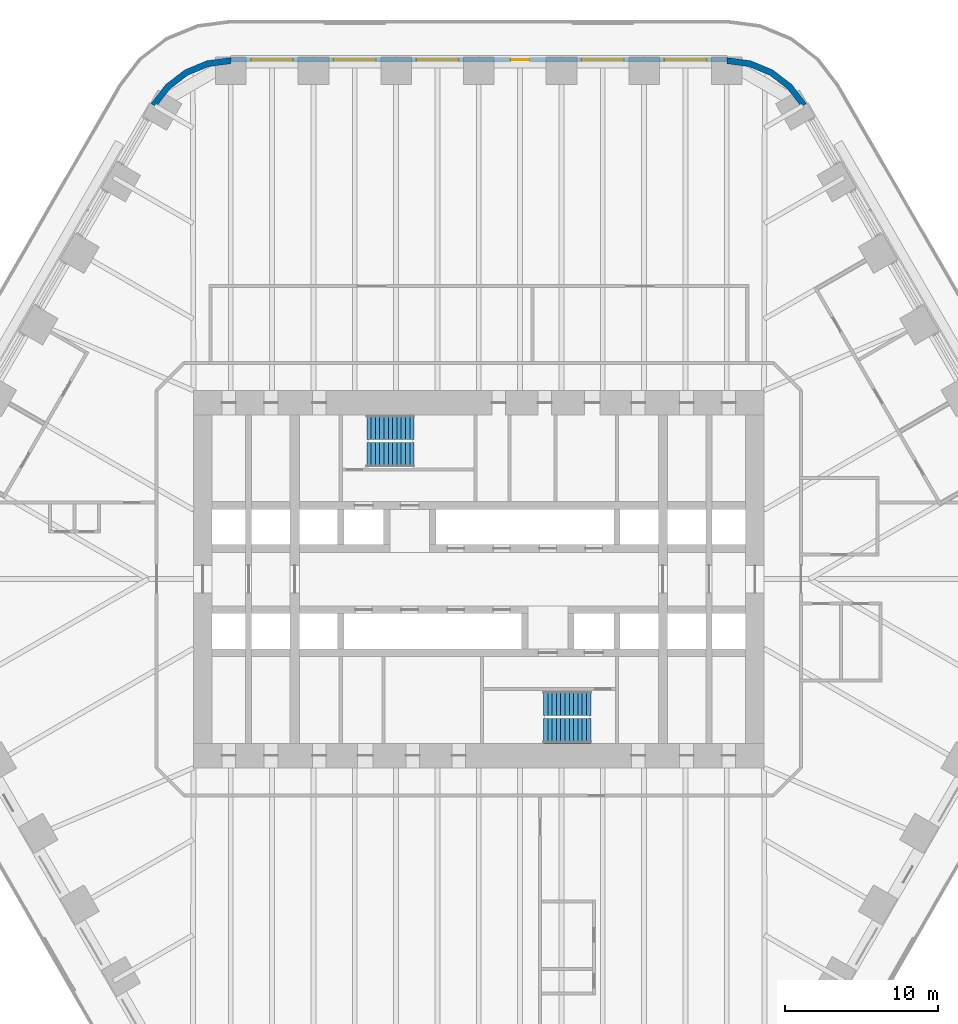
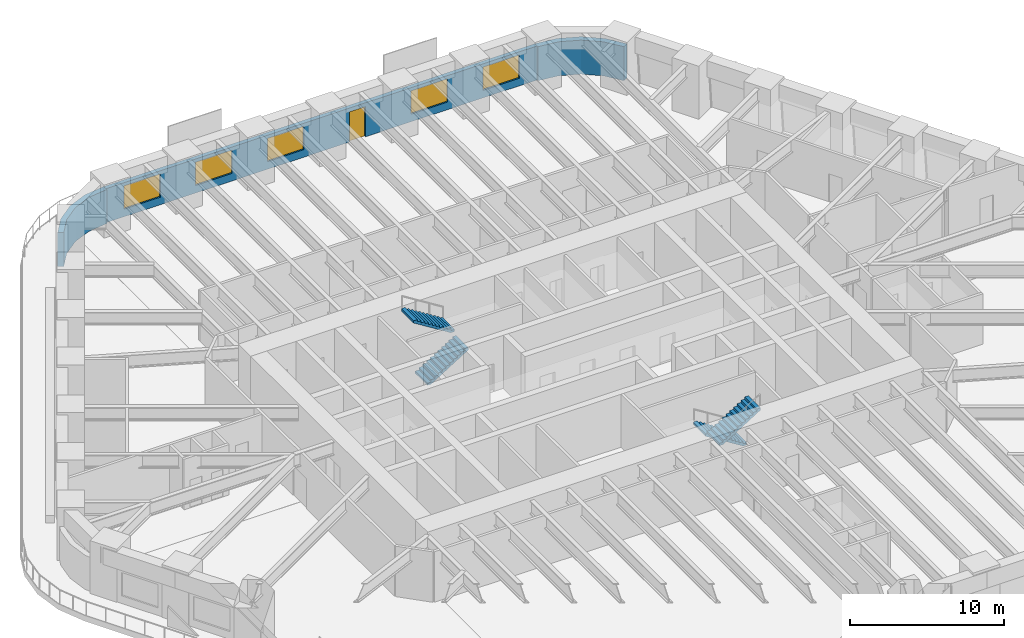
# One storey, part 20 of 23: 5 windows, 4 stair flights, 3 walls, 1 door, 6 openings, 2 elements without a shape of their own.
"""IFC4 building model written with IfcOpenShell, lengths in metres."""

from ifc_helpers import new_model, si_unit, direction, frame, frame_2d, origin, place, context, subcontext, project, spatial, polyline, rectangle, outline, extrude, material, layer, layer_set, type_object, element, fill, aggregate, save


model = new_model("IFC4")

# Units and contexts
model_context = context("Model", 3, precision=1e-05, world=origin(), true_north=direction((0.0, 1.0)))
body_context = subcontext(model_context, "Body", "Model", "MODEL_VIEW")
ifc_project = project(units=[si_unit("LENGTHUNIT", "METRE"), si_unit("AREAUNIT", "SQUARE_METRE"), si_unit("VOLUMEUNIT", "CUBIC_METRE"), si_unit("PLANEANGLEUNIT", "RADIAN"), si_unit("MASSUNIT", "GRAM", prefix="KILO")], contexts=[model_context])

# Site, building, storey
site_placement = place(None, origin())
site = spatial("IfcSite", under=ifc_project, at=site_placement, CompositionType="ELEMENT")
building_placement = place(site_placement, origin())
building = spatial("IfcBuilding", under=site, at=building_placement, Name="Tarfa Lantern Tower", CompositionType="ELEMENT")
storey_placement = place(building_placement, frame((0.0, 0.0, 48.699951171875)))
storey = spatial("IfcBuildingStorey", under=building, at=storey_placement, Name="L10", CompositionType="ELEMENT", Elevation=48.699951171875)

# Wall, openings, door, windows
ifc_material_1 = material(Name="Limestone cladding on blockwork", Category="masonry")
ifc_layer_1 = layer(ifc_material_1, 0.300048828125)
ifc_layer_set_1 = layer_set([ifc_layer_1], Name="EW1 STONE-CLAD WALL 300")
wall_type_1 = type_object("IfcWallType", Name="EW1 STONE-CLAD WALL 300", PredefinedType="SOLIDWALL", material=ifc_layer_set_1)
wall_1_placement = place(storey_placement, frame((16.165771484375, 33.85009765625, 0.0), z_axis=(0.0, 0.0, 1.0), x_axis=(-1.0, 0.0, 0.0)))
wall_1 = element("IfcWall", 1, at=wall_1_placement, inside=storey, type_object=wall_type_1, Name="Stone wall N", PredefinedType="SOLIDWALL", context=body_context, shape_type="SweptSolid", body=[
    extrude(rectangle(XDim=32.33154296875, YDim=0.300048828125, at=frame_2d((16.165771484375, 0.0))), origin(), (0.0, 0.0, 1.0), 2.699951171875),
])
opening_1_placement = place(wall_1_placement, frame((1.3193359375, 0.0, 0.60009765625)))
opening_1 = element("IfcOpeningElement", 2, at=opening_1_placement, cuts=wall_1, Name="Opening W2", PredefinedType="OPENING", context=body_context, shape_type="SweptSolid", body=[
    extrude(rectangle(XDim=2.75, YDim=1.85009765625, at=frame_2d((1.375, 0.925048828125))), frame((0.0, 0.159912109375, 0.0), z_axis=(0.0, -1.0, 0.0), x_axis=(1.0, 0.0, 0.0)), (0.0, 0.0, 1.0), 0.320068359375),
])
opening_2_placement = place(wall_1_placement, frame((6.7080078125, 0.0, 0.60009765625)))
opening_2 = element("IfcOpeningElement", 3, at=opening_2_placement, cuts=wall_1, Name="Opening W2", PredefinedType="OPENING", context=body_context, shape_type="SweptSolid", body=[
    extrude(rectangle(XDim=2.75, YDim=1.85009765625, at=frame_2d((1.375, 0.925048828125))), frame((0.0, 0.159912109375, 0.0), z_axis=(0.0, -1.0, 0.0), x_axis=(1.0, 0.0, 0.0)), (0.0, 0.0, 1.0), 0.320068359375),
])
opening_3_placement = place(wall_1_placement, frame((12.87158203125, 0.0, 0.0)))
opening_3 = element("IfcOpeningElement", 4, at=opening_3_placement, cuts=wall_1, Name="Opening D49", PredefinedType="OPENING", context=body_context, shape_type="SweptSolid", body=[
    extrude(rectangle(XDim=1.199951171875, YDim=2.39990234375, at=frame_2d((0.60009765625, 1.199951171875))), frame((0.0, 0.159912109375, 0.0), z_axis=(0.0, -1.0, 0.0), x_axis=(1.0, 0.0, 0.0)), (0.0, 0.0, 1.0), 0.320068359375),
])
opening_4_placement = place(wall_1_placement, frame((17.485107421875, 0.0, 0.60009765625)))
opening_4 = element("IfcOpeningElement", 5, at=opening_4_placement, cuts=wall_1, Name="Opening W2", PredefinedType="OPENING", context=body_context, shape_type="SweptSolid", body=[
    extrude(rectangle(XDim=2.75, YDim=1.85009765625, at=frame_2d((1.375, 0.925048828125))), frame((0.0, 0.159912109375, 0.0), z_axis=(0.0, -1.0, 0.0), x_axis=(1.0, 0.0, 0.0)), (0.0, 0.0, 1.0), 0.320068359375),
])
opening_5_placement = place(wall_1_placement, frame((22.873779296875, 0.0, 0.60009765625)))
opening_5 = element("IfcOpeningElement", 6, at=opening_5_placement, cuts=wall_1, Name="Opening W2", PredefinedType="OPENING", context=body_context, shape_type="SweptSolid", body=[
    extrude(rectangle(XDim=2.75, YDim=1.85009765625, at=frame_2d((1.375, 0.925048828125))), frame((0.0, 0.159912109375, 0.0), z_axis=(0.0, -1.0, 0.0), x_axis=(1.0, 0.0, 0.0)), (0.0, 0.0, 1.0), 0.320068359375),
])
opening_6_placement = place(wall_1_placement, frame((28.26220703125, 0.0, 0.60009765625)))
opening_6 = element("IfcOpeningElement", 7, at=opening_6_placement, cuts=wall_1, Name="Opening W2", PredefinedType="OPENING", context=body_context, shape_type="SweptSolid", body=[
    extrude(rectangle(XDim=2.75, YDim=1.85009765625, at=frame_2d((1.375, 0.925048828125))), frame((0.0, 0.159912109375, 0.0), z_axis=(0.0, -1.0, 0.0), x_axis=(1.0, 0.0, 0.0)), (0.0, 0.0, 1.0), 0.320068359375),
])
ifc_material_2 = material(Name="Aluminium framed glazed door", Category="aluminium")
door_type = type_object("IfcDoorType", Name="BE3 BALCONY DOOR 1200x2400", OperationType="SINGLE_SWING_RIGHT", PredefinedType="DOOR", material=ifc_material_2)
door_placement = place(opening_3_placement, origin())
door = element("IfcDoor", 8, at=door_placement, inside=storey, type_object=door_type, Name="Balcony door N", OperationType="SINGLE_SWING_RIGHT", OverallHeight=2.39990234375, OverallWidth=1.199951171875, PredefinedType="DOOR", context=body_context, shape_type="SweptSolid", body=[
    extrude(rectangle(XDim=1.199951171875, YDim=2.39990234375, at=frame_2d((0.60009765625, 1.199951171875))), frame((0.0, 0.02490234375, 0.0), z_axis=(0.0, -1.0, 0.0), x_axis=(1.0, 0.0, 0.0)), (0.0, 0.0, 1.0), 0.050048828125),
])
fill(opening_3, door)
ifc_material_3 = material(Name="Aluminium frame, double glazed", Category="aluminium")
window_type = type_object("IfcWindowType", Name="W2 FULL-HEIGHT GLAZING 2750x1850", PartitioningType="SINGLE_PANEL", PredefinedType="WINDOW", material=ifc_material_3)
window_1_placement = place(opening_1_placement, origin())
window_1 = element("IfcWindow", 9, at=window_1_placement, inside=storey, type_object=window_type, Name="Window N 1", OverallHeight=1.85009765625, OverallWidth=2.75, PartitioningType="SINGLE_PANEL", PredefinedType="WINDOW", context=body_context, shape_type="SweptSolid", body=[
    extrude(rectangle(XDim=2.75, YDim=1.85009765625, at=frame_2d((1.375, 0.925048828125))), frame((0.0, 0.030029296875, 0.0), z_axis=(0.0, -1.0, 0.0), x_axis=(1.0, 0.0, 0.0)), (0.0, 0.0, 1.0), 0.06005859375),
])
fill(opening_1, window_1)
window_2_placement = place(opening_2_placement, origin())
window_2 = element("IfcWindow", 10, at=window_2_placement, inside=storey, type_object=window_type, Name="Window N 2", OverallHeight=1.85009765625, OverallWidth=2.75, PartitioningType="SINGLE_PANEL", PredefinedType="WINDOW", context=body_context, shape_type="SweptSolid", body=[
    extrude(rectangle(XDim=2.75, YDim=1.85009765625, at=frame_2d((1.375, 0.925048828125))), frame((0.0, 0.030029296875, 0.0), z_axis=(0.0, -1.0, 0.0), x_axis=(1.0, 0.0, 0.0)), (0.0, 0.0, 1.0), 0.06005859375),
])
fill(opening_2, window_2)
window_3_placement = place(opening_4_placement, origin())
window_3 = element("IfcWindow", 11, at=window_3_placement, inside=storey, type_object=window_type, Name="Window N 4", OverallHeight=1.85009765625, OverallWidth=2.75, PartitioningType="SINGLE_PANEL", PredefinedType="WINDOW", context=body_context, shape_type="SweptSolid", body=[
    extrude(rectangle(XDim=2.75, YDim=1.85009765625, at=frame_2d((1.375, 0.925048828125))), frame((0.0, 0.030029296875, 0.0), z_axis=(0.0, -1.0, 0.0), x_axis=(1.0, 0.0, 0.0)), (0.0, 0.0, 1.0), 0.06005859375),
])
fill(opening_4, window_3)
window_4_placement = place(opening_5_placement, origin())
window_4 = element("IfcWindow", 12, at=window_4_placement, inside=storey, type_object=window_type, Name="Window N 5", OverallHeight=1.85009765625, OverallWidth=2.75, PartitioningType="SINGLE_PANEL", PredefinedType="WINDOW", context=body_context, shape_type="SweptSolid", body=[
    extrude(rectangle(XDim=2.75, YDim=1.85009765625, at=frame_2d((1.375, 0.925048828125))), frame((0.0, 0.030029296875, 0.0), z_axis=(0.0, -1.0, 0.0), x_axis=(1.0, 0.0, 0.0)), (0.0, 0.0, 1.0), 0.06005859375),
])
fill(opening_5, window_4)
window_5_placement = place(opening_6_placement, origin())
window_5 = element("IfcWindow", 13, at=window_5_placement, inside=storey, type_object=window_type, Name="Window N 6", OverallHeight=1.85009765625, OverallWidth=2.75, PartitioningType="SINGLE_PANEL", PredefinedType="WINDOW", context=body_context, shape_type="SweptSolid", body=[
    extrude(rectangle(XDim=2.75, YDim=1.85009765625, at=frame_2d((1.375, 0.925048828125))), frame((0.0, 0.030029296875, 0.0), z_axis=(0.0, -1.0, 0.0), x_axis=(1.0, 0.0, 0.0)), (0.0, 0.0, 1.0), 0.06005859375),
])
fill(opening_6, window_5)

# Walls
ifc_layer_2 = layer(ifc_material_1, 0.39990234375)
ifc_layer_set_2 = layer_set([ifc_layer_2], Name="EW2 CURVED STONE CORNER 400")
wall_type_2 = type_object("IfcWallType", Name="EW2 CURVED STONE CORNER 400", PredefinedType="SOLIDWALL", material=ifc_layer_set_2)
wall_2_placement = place(storey_placement, origin())
element("IfcWall", 14, at=wall_2_placement, inside=storey, type_object=wall_type_2, Name="Stone corner NE-N", PredefinedType="SOLIDWALL", context=body_context, shape_type="SweptSolid", body=[
    extrude(outline(polyline([(21.362060546875, 31.0), (20.408447265625, 32.24267578125), (19.165771484375, 33.196044921875), (17.71875, 33.795654296875), (16.165771484375, 34.0), (16.165771484375, 33.60009765625), (17.615234375, 33.4091796875), (18.9658203125, 32.849853515625), (20.12548828125, 31.959716796875), (21.015625, 30.800048828125), (21.362060546875, 31.0)])), origin(), (0.0, 0.0, 1.0), 2.699951171875),
])
wall_3_placement = place(storey_placement, origin())
element("IfcWall", 15, at=wall_3_placement, inside=storey, type_object=wall_type_2, Name="Stone corner N-NW", PredefinedType="SOLIDWALL", context=body_context, shape_type="SweptSolid", body=[
    extrude(outline(polyline([(-16.165771484375, 34.0), (-17.71875, 33.795654296875), (-19.165771484375, 33.196044921875), (-20.408447265625, 32.24267578125), (-21.362060546875, 31.0), (-21.015625, 30.800048828125), (-20.12548828125, 31.959716796875), (-18.9658203125, 32.849853515625), (-17.615234375, 33.4091796875), (-16.165771484375, 33.60009765625), (-16.165771484375, 34.0)])), origin(), (0.0, 0.0, 1.0), 2.699951171875),
])

# Stair, stair flights
ifc_material_4 = material(Name="Concrete C40/50", Category="concrete")
stair_type = type_object("IfcStairType", Name="ST-T10 HALF-TURN STAIR 4200 RISE", PredefinedType="HALF_TURN_STAIR", material=ifc_material_4)
stair_1_placement = place(storey_placement, origin())
stair_1 = element("IfcStair", 16, at=stair_1_placement, inside=storey, type_object=stair_type, Name="Stair ST1", PredefinedType="HALF_TURN_STAIR")
stair_flight_type = type_object("IfcStairFlightType", Name="SF1 STAIR FLIGHT", PredefinedType="STRAIGHT", material=ifc_material_4)
stair_flight_1_placement = place(storey_placement, frame((-7.300048828125, 8.10009765625, 0.0), z_axis=(0.0, 0.0, 1.0), x_axis=(1.0, 0.0, 0.0)))
stair_flight_1 = element("IfcStairFlight", 17, at=stair_flight_1_placement, type_object=stair_flight_type, Name="ST1 flight 1", NumberOfRisers=12, NumberOfTreads=11, PredefinedType="STRAIGHT", RiserHeight=0.175, TreadLength=0.28, context=body_context, shape_type="SweptSolid", body=[
    extrude(outline(polyline([(0.0, 0.0), (0.0, 0.175048828125), (0.280029296875, 0.175048828125), (0.280029296875, 0.35009765625), (0.56005859375, 0.35009765625), (0.56005859375, 0.52490234375), (0.840087890625, 0.52490234375), (0.840087890625, 0.699951171875), (1.1201171875, 0.699951171875), (1.1201171875, 0.875), (1.39990234375, 0.875), (1.39990234375, 1.050048828125), (1.679931640625, 1.050048828125), (1.679931640625, 1.22509765625), (1.9599609375, 1.22509765625), (1.9599609375, 1.39990234375), (2.239990234375, 1.39990234375), (2.239990234375, 1.574951171875), (2.52001953125, 1.574951171875), (2.52001953125, 1.75), (2.800048828125, 1.75), (2.800048828125, 1.925048828125), (3.080078125, 1.925048828125), (3.080078125, 2.10009765625), (3.080078125, 1.748291015625), (0.28271484375, 0.0), (0.0, 0.0)])), frame((0.0, 0.800048828125, 0.0), z_axis=(0.0, -1.0, 0.0), x_axis=(1.0, 0.0, 0.0)), (0.0, 0.0, 1.0), 1.60009765625),
])
stair_flight_2_placement = place(storey_placement, frame((-4.219970703125, 9.89990234375, 2.10009765625), z_axis=(0.0, 0.0, 1.0), x_axis=(-1.0, 0.0, 0.0)))
stair_flight_2 = element("IfcStairFlight", 18, at=stair_flight_2_placement, type_object=stair_flight_type, Name="ST1 flight 2", NumberOfRisers=12, NumberOfTreads=11, PredefinedType="STRAIGHT", RiserHeight=0.175, TreadLength=0.28, context=body_context, shape_type="SweptSolid", body=[
    extrude(outline(polyline([(0.0, 0.0), (0.0, 0.175048828125), (0.280029296875, 0.175048828125), (0.280029296875, 0.35009765625), (0.56005859375, 0.35009765625), (0.56005859375, 0.52490234375), (0.840087890625, 0.52490234375), (0.840087890625, 0.699951171875), (1.1201171875, 0.699951171875), (1.1201171875, 0.875), (1.39990234375, 0.875), (1.39990234375, 1.050048828125), (1.679931640625, 1.050048828125), (1.679931640625, 1.22509765625), (1.9599609375, 1.22509765625), (1.9599609375, 1.39990234375), (2.239990234375, 1.39990234375), (2.239990234375, 1.574951171875), (2.52001953125, 1.574951171875), (2.52001953125, 1.75), (2.800048828125, 1.75), (2.800048828125, 1.925048828125), (3.080078125, 1.925048828125), (3.080078125, 2.10009765625), (3.080078125, 1.748291015625), (0.28271484375, 0.0), (0.0, 0.0)])), frame((0.0, 0.800048828125, 0.0), z_axis=(0.0, -1.0, 0.0), x_axis=(1.0, 0.0, 0.0)), (0.0, 0.0, 1.0), 1.60009765625),
])
aggregate(stair_1, [stair_flight_1, stair_flight_2])

stair_2_placement = place(storey_placement, origin())
stair_2 = element("IfcStair", 19, at=stair_2_placement, inside=storey, type_object=stair_type, Name="Stair ST2", PredefinedType="HALF_TURN_STAIR")
stair_flight_3_placement = place(storey_placement, frame((7.300048828125, -8.10009765625, 0.0), z_axis=(0.0, 0.0, 1.0), x_axis=(-1.0, 0.0, 0.0)))
stair_flight_3 = element("IfcStairFlight", 20, at=stair_flight_3_placement, type_object=stair_flight_type, Name="ST2 flight 1", NumberOfRisers=12, NumberOfTreads=11, PredefinedType="STRAIGHT", RiserHeight=0.175, TreadLength=0.28, context=body_context, shape_type="SweptSolid", body=[
    extrude(outline(polyline([(0.0, 0.0), (0.0, 0.175048828125), (0.280029296875, 0.175048828125), (0.280029296875, 0.35009765625), (0.56005859375, 0.35009765625), (0.56005859375, 0.52490234375), (0.840087890625, 0.52490234375), (0.840087890625, 0.699951171875), (1.1201171875, 0.699951171875), (1.1201171875, 0.875), (1.39990234375, 0.875), (1.39990234375, 1.050048828125), (1.679931640625, 1.050048828125), (1.679931640625, 1.22509765625), (1.9599609375, 1.22509765625), (1.9599609375, 1.39990234375), (2.239990234375, 1.39990234375), (2.239990234375, 1.574951171875), (2.52001953125, 1.574951171875), (2.52001953125, 1.75), (2.800048828125, 1.75), (2.800048828125, 1.925048828125), (3.080078125, 1.925048828125), (3.080078125, 2.10009765625), (3.080078125, 1.748291015625), (0.28271484375, 0.0), (0.0, 0.0)])), frame((0.0, 0.800048828125, 0.0), z_axis=(0.0, -1.0, 0.0), x_axis=(1.0, 0.0, 0.0)), (0.0, 0.0, 1.0), 1.60009765625),
])
stair_flight_4_placement = place(storey_placement, frame((4.219970703125, -9.89990234375, 2.10009765625), z_axis=(0.0, 0.0, 1.0), x_axis=(1.0, 0.0, 0.0)))
stair_flight_4 = element("IfcStairFlight", 21, at=stair_flight_4_placement, type_object=stair_flight_type, Name="ST2 flight 2", NumberOfRisers=12, NumberOfTreads=11, PredefinedType="STRAIGHT", RiserHeight=0.175, TreadLength=0.28, context=body_context, shape_type="SweptSolid", body=[
    extrude(outline(polyline([(0.0, 0.0), (0.0, 0.175048828125), (0.280029296875, 0.175048828125), (0.280029296875, 0.35009765625), (0.56005859375, 0.35009765625), (0.56005859375, 0.52490234375), (0.840087890625, 0.52490234375), (0.840087890625, 0.699951171875), (1.1201171875, 0.699951171875), (1.1201171875, 0.875), (1.39990234375, 0.875), (1.39990234375, 1.050048828125), (1.679931640625, 1.050048828125), (1.679931640625, 1.22509765625), (1.9599609375, 1.22509765625), (1.9599609375, 1.39990234375), (2.239990234375, 1.39990234375), (2.239990234375, 1.574951171875), (2.52001953125, 1.574951171875), (2.52001953125, 1.75), (2.800048828125, 1.75), (2.800048828125, 1.925048828125), (3.080078125, 1.925048828125), (3.080078125, 2.10009765625), (3.080078125, 1.748291015625), (0.28271484375, 0.0), (0.0, 0.0)])), frame((0.0, 0.800048828125, 0.0), z_axis=(0.0, -1.0, 0.0), x_axis=(1.0, 0.0, 0.0)), (0.0, 0.0, 1.0), 1.60009765625),
])
aggregate(stair_2, [stair_flight_3, stair_flight_4])

save(model, "model.ifc")
